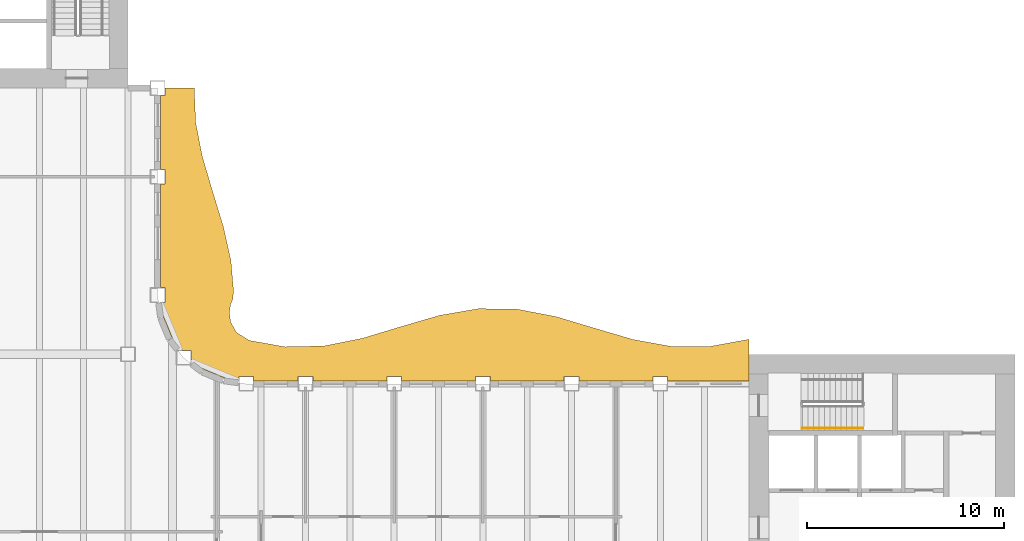
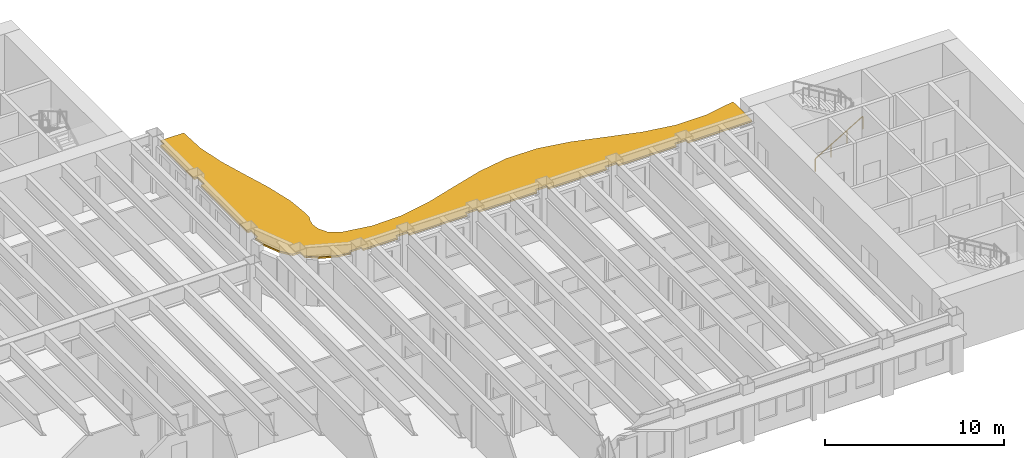
# One storey, part 14 of 16: 1 railing, 1 shading device.
"""IFC4 building model written with IfcOpenShell, lengths in metres."""

from ifc_helpers import new_model, si_unit, direction, frame, origin, origin_2d, place, context, subcontext, project, spatial, polyline, rectangle, outline, extrude, material, layer, layer_set, type_object, element, save


model = new_model("IFC4")

# Units and contexts
model_context = context("Model", 3, precision=1e-05, world=origin(), true_north=direction((0.0, 1.0)))
body_context = subcontext(model_context, "Body", "Model", "MODEL_VIEW")
ifc_project = project(units=[si_unit("LENGTHUNIT", "METRE"), si_unit("AREAUNIT", "SQUARE_METRE"), si_unit("VOLUMEUNIT", "CUBIC_METRE"), si_unit("PLANEANGLEUNIT", "RADIAN"), si_unit("MASSUNIT", "GRAM", prefix="KILO")], contexts=[model_context])

# Site, building, storey
site_placement = place(None, origin())
site = spatial("IfcSite", under=ifc_project, at=site_placement, CompositionType="ELEMENT")
building_placement = place(site_placement, origin())
building = spatial("IfcBuilding", under=site, at=building_placement, Name="Sennacour Bend Tower", CompositionType="ELEMENT")
storey_placement = place(building_placement, frame((0.0, 0.0, 211.0)))
storey = spatial("IfcBuildingStorey", under=building, at=storey_placement, Name="L48", CompositionType="ELEMENT", Elevation=211.0)

# Railing
ifc_material_1 = material(Name="Stainless steel", Category="steel")
railing_type = type_object("IfcRailingType", Name="RL-HANDRAIL-900", PredefinedType="HANDRAIL", material=ifc_material_1)
railing_placement = place(storey_placement, frame((56.699951171875, 18.75, 0.166748046875)))
element("IfcRailing", 1, at=railing_placement, inside=storey, type_object=railing_type, Name="L48 SA2 stair handrail 1", PredefinedType="HANDRAIL", context=body_context, shape_type="SweptSolid", body=[
    extrude(rectangle(XDim=0.048095703125, YDim=0.048095703125, at=origin_2d()), frame((0.0, 0.0, 0.8759765625), z_axis=(0.859308565015, 0.0, 0.511457515432), x_axis=(0.0, 1.0, 0.0)), (0.0, 0.0, 1.0), 3.58447265625),
    extrude(rectangle(XDim=0.0419921875, YDim=0.0419921875, at=origin_2d()), origin(), (0.0, 0.0, 1.0), 0.851806640625),
    extrude(rectangle(XDim=0.0419921875, YDim=0.0419921875, at=origin_2d()), frame((1.026611328125, 0.0, 0.611083984375)), (0.0, 0.0, 1.0), 0.851806640625),
    extrude(rectangle(XDim=0.0419921875, YDim=0.0419921875, at=origin_2d()), frame((2.053466796875, 0.0, 1.22216796875)), (0.0, 0.0, 1.0), 0.851806640625),
    extrude(rectangle(XDim=0.0419921875, YDim=0.0419921875, at=origin_2d()), frame((3.080078125, 0.0, 1.833251953125)), (0.0, 0.0, 1.0), 0.851806640625),
])

# Shading device
ifc_material_2 = material(Name="Bronze anodised aluminium", Category="aluminium")
ifc_layer = layer(ifc_material_2, 0.1201171875, Name="Bronze anodised aluminium", Category="aluminium")
ifc_layer_set = layer_set([ifc_layer], Name="Bronze anodised aluminium")
shading_device_type = type_object("IfcShadingDeviceType", Name="SUNSHADE BAND WAVE", PredefinedType="USERDEFINED", material=ifc_layer_set)
shading_device_placement = place(storey_placement, frame((0.0, 0.0, 3.037109375)))
element("IfcShadingDevice", 2, at=shading_device_placement, inside=storey, type_object=shading_device_type, Name="Sunshade band L48 concave faces", ObjectType="SUNSHADE", PredefinedType="USERDEFINED", context=body_context, shape_type="SweptSolid", body=[
    extrude(outline(polyline([(54.0, 21.14990234375), (49.875, 21.14990234375), (49.875, 21.375), (49.125, 21.375), (49.125, 21.14990234375), (45.375, 21.14990234375), (45.375, 21.375), (44.625, 21.375), (44.625, 21.14990234375), (40.875, 21.14990234375), (40.875, 21.375), (40.125, 21.375), (40.125, 21.14990234375), (36.375, 21.14990234375), (36.375, 21.375), (35.625, 21.375), (35.625, 21.14990234375), (31.875, 21.14990234375), (31.875, 21.375), (31.125, 21.375), (31.125, 21.14990234375), (28.875, 21.14990234375), (28.875, 21.375), (28.125, 21.375), (28.125, 21.20068359375), (27.37451171875, 21.299560546875), (26.32568359375, 21.73388671875), (25.693115234375, 22.21923828125), (25.693115234375, 22.693115234375), (25.21923828125, 22.693115234375), (24.73388671875, 23.32568359375), (24.299560546875, 24.37451171875), (24.20068359375, 25.125), (24.375, 25.125), (24.375, 25.875), (24.14990234375, 25.875), (24.14990234375, 31.125), (24.375, 31.125), (24.375, 31.875), (24.14990234375, 31.875), (24.14990234375, 35.625), (24.375, 35.625), (24.375, 36.0), (25.861572265625, 36.0), (25.930419921875, 34.25), (26.275390625, 32.5), (26.79345703125, 30.75), (27.328369140625, 29.0), (27.719482421875, 27.25), (27.849365234375, 25.752197265625), (27.822998046875, 25.318603515625), (27.710693359375, 25.044189453125), (27.637451171875, 24.637451171875), (27.7080078125, 24.128173828125), (27.994384765625, 23.61279296875), (28.644287109375, 23.202392578125), (30.46142578125, 22.879638671875), (32.423095703125, 22.9208984375), (34.384521484375, 23.310546875), (36.34619140625, 23.902587890625), (38.3076171875, 24.47509765625), (40.269287109375, 24.81298828125), (42.230712890625, 24.78955078125), (44.1923828125, 24.413818359375), (46.15380859375, 23.82666015625), (48.115478515625, 23.248046875), (50.076904296875, 22.8955078125), (52.03857421875, 22.90087890625), (54.0, 23.26220703125), (54.0, 21.14990234375)])), origin(), (0.0, 0.0, 1.0), 0.119873046875),
])

save(model, "model.ifc")
